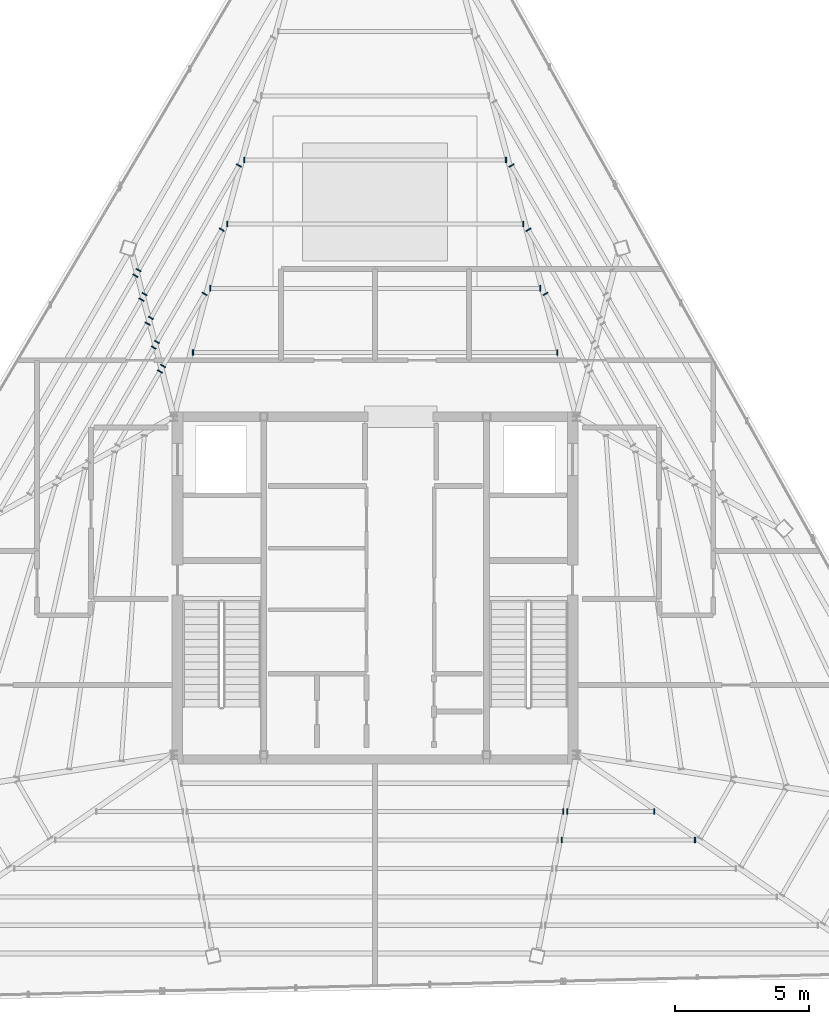
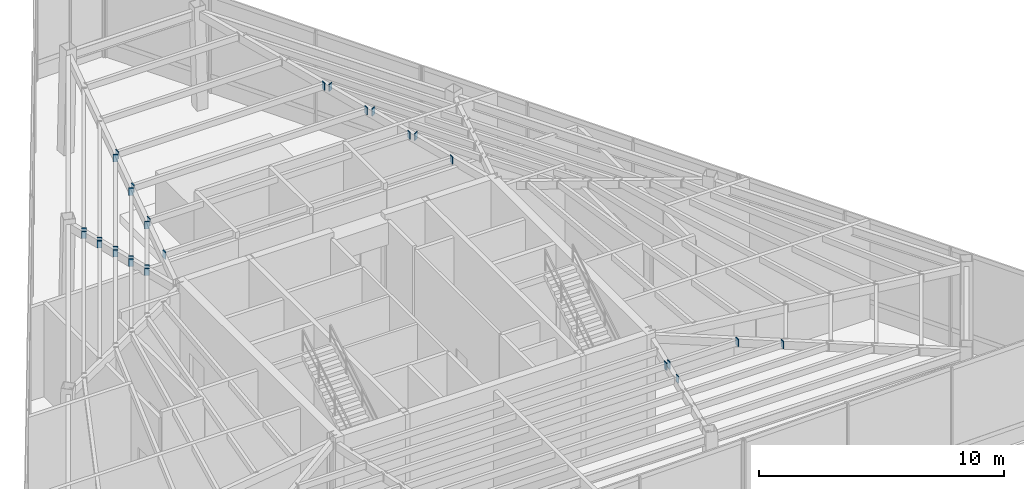
# One storey, part 20 of 25: 29 plates.
"""IFC4 building model written with IfcOpenShell, lengths in metres."""

import ifcopenshell
import ifcopenshell.guid

model = None  # the IFC model being written
_history = None  # IfcOwnerHistory: only IFC2X3 demands one
_inside = {}  # id of a spatial element -> (the spatial element, [elements in it])
_under = {}  # id of a project, library or spatial element -> (it, [spatial elements below it])
_declared = {}  # id of a project -> (the project, [libraries it declares])
_typed = {}  # id of a type object -> (the type object, [elements of that type])
_made_of = {}  # id of a material, layer set ... -> (it, [elements and type objects made of it])


def new_model(schema):
    """Start an empty IFC model of exactly this schema.

    Asked for "IFC4X3", IfcOpenShell would pick the latest addendum, in which some entities
    have other attributes; the version numbers below select the first issue.
    IFC2X3 requires an IfcOwnerHistory on every rooted entity: one is made here for all.
    """
    global model, _history
    if schema == "IFC4X3":
        model = ifcopenshell.file(schema_version=(4, 3, 0, 0))
    else:
        model = ifcopenshell.file(schema=schema)
    _inside.clear()
    _under.clear()
    _declared.clear()
    _typed.clear()
    _made_of.clear()
    _history = None
    if model.schema == "IFC2X3":
        org = make("IfcOrganization", Name="unknown")
        user = make(
            "IfcPersonAndOrganization",
            ThePerson=make("IfcPerson", FamilyName="unknown"),
            TheOrganization=org,
        )
        app = make(
            "IfcApplication",
            ApplicationDeveloper=org,
            Version="unknown",
            ApplicationFullName="unknown",
            ApplicationIdentifier="unknown",
        )
        _history = make(
            "IfcOwnerHistory",
            OwningUser=user,
            OwningApplication=app,
            ChangeAction="ADDED",
            CreationDate=0,
        )
    return model


def make(cls, **values):
    """One entity of the class cls with the attributes given. An attribute that is None is left unset."""
    return model.create_entity(
        cls, **{name: value for name, value in values.items() if value is not None}
    )


def rooted(cls, **values):
    """An entity with a GlobalId (a new one), such as an element, a storey or a relation."""
    return make(cls, GlobalId=ifcopenshell.guid.new(), OwnerHistory=_history, **values)


def si_unit(unit_type, name, prefix=None):
    """IfcSIUnit, for example si_unit("LENGTHUNIT", "METRE", prefix="MILLI")."""
    return make("IfcSIUnit", UnitType=unit_type, Prefix=prefix, Name=name)


def assignment(units):
    """IfcUnitAssignment: the units of a project."""
    return None if units is None else make("IfcUnitAssignment", Units=units)


def point(xyz):
    """IfcCartesianPoint."""
    return None if xyz is None else make("IfcCartesianPoint", Coordinates=xyz)


def direction(xyz):
    """IfcDirection."""
    return None if xyz is None else make("IfcDirection", DirectionRatios=xyz)


def frame(location, z_axis=None, x_axis=None):
    """IfcAxis2Placement3D, a coordinate frame: its origin and axes. An axis left out is left unset."""
    return make(
        "IfcAxis2Placement3D",
        Location=point(location),
        Axis=direction(z_axis),
        RefDirection=direction(x_axis),
    )


def frame_2d(location, x_axis=None):
    """IfcAxis2Placement2D, a coordinate frame in the plane: its origin and x axis."""
    return make(
        "IfcAxis2Placement2D", Location=point(location), RefDirection=direction(x_axis)
    )


def origin():
    """The frame at (0, 0, 0) with its axes left unset."""
    return frame((0.0, 0.0, 0.0))


def origin_2d():
    """The frame at (0, 0) in the plane with its x axis left unset."""
    return frame_2d((0.0, 0.0))


def place(relative_to, where):
    """IfcLocalPlacement: puts the frame where relative to a parent placement (None: the world)."""
    return make(
        "IfcLocalPlacement", PlacementRelTo=relative_to, RelativePlacement=where
    )


def context(
    kind, dimensions, precision=None, world=None, true_north=None, identifier=None
):
    """IfcGeometricRepresentationContext, for example the 3D "Model" context."""
    return make(
        "IfcGeometricRepresentationContext",
        ContextIdentifier=identifier,
        ContextType=kind,
        CoordinateSpaceDimension=dimensions,
        Precision=precision,
        WorldCoordinateSystem=world,
        TrueNorth=true_north,
    )


def subcontext(parent, identifier, kind, view, scale=None):
    """IfcGeometricRepresentationSubContext, for example "Body" below "Model"."""
    return make(
        "IfcGeometricRepresentationSubContext",
        ContextIdentifier=identifier,
        ContextType=kind,
        ParentContext=parent,
        TargetScale=scale,
        TargetView=view,
    )


def project(units=None, contexts=None):
    """IfcProject with its units and contexts."""
    return rooted(
        "IfcProject",
        Name="project",
        RepresentationContexts=contexts,
        UnitsInContext=assignment(units),
    )


def spatial(cls, under=None, at=None, **own):
    """A site, building, storey or space (cls), placed at a placement, below another one or the project."""
    s = rooted(cls, ObjectPlacement=at, **own)
    if under is not None:
        _under.setdefault(under.id(), (under, []))[1].append(s)
    return s


def profile(cls, at=None, kind="AREA", **sizes):
    """A parametric profile (cls). Its sizes go by their IFC names, for example OverallWidth=200.0."""
    return make(cls, ProfileType=kind, Position=at, **sizes)


def rectangle(**sizes):
    """IfcRectangleProfileDef."""
    return profile("IfcRectangleProfileDef", **sizes)


def extrude(swept, where, along, depth):
    """IfcExtrudedAreaSolid: the profile swept, set in the frame where, extruded along a direction by depth."""
    return make(
        "IfcExtrudedAreaSolid",
        SweptArea=swept,
        Position=where,
        ExtrudedDirection=direction(along),
        Depth=depth,
    )


def shape(context_of_items, identifier, shape_type, items):
    """IfcShapeRepresentation: the items that make up one representation, for example the "Body"."""
    return make(
        "IfcShapeRepresentation",
        ContextOfItems=context_of_items,
        RepresentationIdentifier=identifier,
        RepresentationType=shape_type,
        Items=items,
    )


def source(mapping_origin, context_of_items, identifier, shape_type, items):
    """IfcRepresentationMap: a shape defined once, which mapped items show again and again."""
    return make(
        "IfcRepresentationMap",
        MappingOrigin=mapping_origin,
        MappedRepresentation=shape(context_of_items, identifier, shape_type, items),
    )


def transform(
    local_origin,
    x_axis=None,
    y_axis=None,
    z_axis=None,
    scale=None,
    scale2=None,
    scale3=None,
    uniform=True,
):
    """IfcCartesianTransformationOperator3D, or its non-uniform kind. x_axis, y_axis, z_axis: its Axis1, 2, 3."""
    if uniform:
        return make(
            "IfcCartesianTransformationOperator3D",
            Axis1=direction(x_axis),
            Axis2=direction(y_axis),
            LocalOrigin=point(local_origin),
            Scale=scale,
            Axis3=direction(z_axis),
        )
    return make(
        "IfcCartesianTransformationOperator3DnonUniform",
        Axis1=direction(x_axis),
        Axis2=direction(y_axis),
        LocalOrigin=point(local_origin),
        Scale=scale,
        Axis3=direction(z_axis),
        Scale2=scale2,
        Scale3=scale3,
    )


def mapped(mapping_source, mapping_target):
    """IfcMappedItem: shows the shape of a source again, moved by a transform."""
    return make(
        "IfcMappedItem", MappingSource=mapping_source, MappingTarget=mapping_target
    )


def material(Name=None, Category=None):
    """IfcMaterial."""
    return make("IfcMaterial", Name=Name, Category=Category)


def layer(
    of_material, thickness, ventilated=None, Name=None, Category=None, Priority=None
):
    """IfcMaterialLayer: one layer of a wall or slab, of a material (None: an air gap)."""
    return make(
        "IfcMaterialLayer",
        Material=of_material,
        LayerThickness=thickness,
        IsVentilated=ventilated,
        Name=Name,
        Category=Category,
        Priority=Priority,
    )


def layer_set(layers, Name=None):
    """IfcMaterialLayerSet."""
    return make("IfcMaterialLayerSet", MaterialLayers=layers, LayerSetName=Name)


def made_of(thing, what):
    """Note that an element or type object is made of a material, layer set ...; save() writes the relation."""
    if what is not None:
        _made_of.setdefault(what.id(), (what, []))[1].append(thing)
    return thing


def type_object(cls, material=None, **own):
    """A type object (cls), such as IfcWallType, which elements share."""
    return made_of(rooted(cls, **own), material)


def type_shapes(of_type, sources):
    """Give a type object the sources (RepresentationMaps) that its elements show as mapped items."""
    of_type.RepresentationMaps = sources


def element(
    cls,
    number,
    at=None,
    inside=None,
    cuts=None,
    type_object=None,
    material=None,
    context=None,
    identifier="Body",
    shape_type=None,
    held_by="IfcProductDefinitionShape",
    body=None,
    shapes=None,
    **own,
):
    """One element of the class cls, such as IfcWall. Its Tag is "e" and its number.

    at: its placement. inside: the storey or other place that contains it. cuts: it is an
    opening in that element (IfcRelVoidsElement). A single representation is given by context,
    identifier, shape_type and body (its items); several are given by shapes. held_by: the class
    of the entity that holds the representations. save() writes the other relations.
    """
    e = rooted(cls, Tag="e%d" % number, ObjectPlacement=at, **own)
    if body is not None:
        shapes = [shape(context, identifier, shape_type, body)]
    if shapes is not None:
        e.Representation = make(held_by, Representations=shapes)
    if inside is not None:
        _inside.setdefault(inside.id(), (inside, []))[1].append(e)
    if cuts is not None:
        rooted(
            "IfcRelVoidsElement", RelatingBuildingElement=cuts, RelatedOpeningElement=e
        )
    if type_object is not None:
        _typed.setdefault(type_object.id(), (type_object, []))[1].append(e)
    return made_of(e, material)


def aggregate(whole, parts):
    """IfcRelAggregates: a whole, such as a stair, and the parts it consists of."""
    return rooted("IfcRelAggregates", RelatingObject=whole, RelatedObjects=parts)


def save(model, path):
    """Write the relations noted so far, then the file.

    IfcRelAggregates (storeys below a building ...), IfcRelContainedInSpatialStructure (elements
    in a storey), IfcRelDefinesByType, IfcRelAssociatesMaterial and IfcRelDeclares: one each for
    every whole, place, type object, material and project.
    """
    for whole, parts in _under.values():
        aggregate(whole, parts)
    for where, things in _inside.values():
        rooted(
            "IfcRelContainedInSpatialStructure",
            RelatedElements=things,
            RelatingStructure=where,
        )
    for kind, things in _typed.values():
        rooted("IfcRelDefinesByType", RelatedObjects=things, RelatingType=kind)
    for what, things in _made_of.values():
        rooted("IfcRelAssociatesMaterial", RelatedObjects=things, RelatingMaterial=what)
    for by, libraries in _declared.values():
        rooted("IfcRelDeclares", RelatingContext=by, RelatedDefinitions=libraries)
    model.write(path)


model = new_model("IFC4")

# Units and contexts
model_context = context("Model", 3, precision=1e-05, world=origin(), true_north=direction((0.0, 1.0)))
body_context = subcontext(model_context, "Body", "Model", "MODEL_VIEW")
ifc_project = project(units=[si_unit("LENGTHUNIT", "METRE"), si_unit("AREAUNIT", "SQUARE_METRE"), si_unit("VOLUMEUNIT", "CUBIC_METRE"), si_unit("PLANEANGLEUNIT", "RADIAN"), si_unit("MASSUNIT", "GRAM", prefix="KILO")], contexts=[model_context])

# Site, building, storey
site_placement = place(None, origin())
site = spatial("IfcSite", under=ifc_project, at=site_placement, CompositionType="ELEMENT")
building_placement = place(site_placement, origin())
building = spatial("IfcBuilding", under=site, at=building_placement, Name="Caelisora Broadcast Tower", CompositionType="ELEMENT")
storey_placement = place(building_placement, frame((0.0, 0.0, 284.60009765625)))
storey = spatial("IfcBuildingStorey", under=building, at=storey_placement, Name="L75", CompositionType="ELEMENT", Elevation=284.60009765625)

# Plates
ifc_material = material(Name="Steel Grade 350 L15 (AS/NZS 3678)", Category="steel")
ifc_layer = layer(ifc_material, 0.0400390625, Name="Steel Grade 350 L15 (AS/NZS 3678)")
ifc_layer_set = layer_set([ifc_layer], Name="Steel Grade 350 L15 (AS/NZS 3678)")
plate_type = type_object("IfcPlateType", Name="GP04", PredefinedType="USERDEFINED", material=ifc_layer_set)
shared_shape = source(origin(), body_context, "Body", "SweptSolid", [
    extrude(rectangle(XDim=0.2099609375, YDim=0.0400390625, at=origin_2d()), origin(), (0.0, 0.0, 1.0), 0.360107421875),
])
type_shapes(plate_type, [shared_shape])
for number, where, z_axis, x_axis, name in (
    (1, (44.783447265625, 32.390380859375, 4.61962890625), (0.0, 0.0, 1.0), (0.0, -1.0, 0.0), "L75 gusset plate GP04 (ND-SB-L75-001A)"),
    (2, (31.216552734375, 32.390380859375, 4.61962890625), (0.0, 0.0, 1.0), (0.0, -1.0, 0.0), "L75 gusset plate GP04 (ND-SB-L75-001B)"),
    (3, (44.147705078125, 34.781005859375, 4.61962890625), (0.0, 0.0, 1.0), (0.0, -1.0, 0.0), "L75 gusset plate GP04 (ND-SB-L75-002A)"),
    (4, (31.852294921875, 34.781005859375, 4.61962890625), (0.0, 0.0, 1.0), (0.0, -1.0, 0.0), "L75 gusset plate GP04 (ND-SB-L75-002B)"),
    (5, (43.51171875, 37.17138671875, 4.61962890625), (0.0, 0.0, 1.0), (0.0, -1.0, 0.0), "L75 gusset plate GP04 (ND-SB-L75-003A)"),
    (6, (32.48828125, 37.17138671875, 4.61962890625), (0.0, 0.0, 1.0), (0.0, -1.0, 0.0), "L75 gusset plate GP04 (ND-SB-L75-003B)"),
    (7, (42.87548828125, 39.56201171875, 4.61962890625), (0.0, 0.0, 1.0), (0.0, -1.0, 0.0), "L75 gusset plate GP04 (ND-SB-L75-004A)"),
    (8, (33.12451171875, 39.56201171875, 4.61962890625), (0.0, 0.0, 1.0), (0.0, -1.0, 0.0), "L75 gusset plate GP04 (ND-SB-L75-004B)"),
    (9, (31.65185546875, 34.572998046875, 4.61962890625), (0.0, 0.0, 1.0), (0.866025403784, -0.5, 0.0), "L75 gusset plate GP04 (ND-SB-L75-007A)"),
    (10, (30.10205078125, 31.888671875, 4.61962890625), (0.0, 0.0, 1.0), (0.866025403784, -0.5, 0.0), "L75 gusset plate GP04 (ND-SB-L75-007B)"),
    (11, (32.287841796875, 36.96337890625, 4.61962890625), (0.0, 0.0, 1.0), (0.866025403784, -0.5, 0.0), "L75 gusset plate GP04 (ND-SB-L75-008A)"),
    (12, (29.873046875, 32.781005859375, 4.61962890625), (0.0, 0.0, 1.0), (0.866025403784, -0.5, 0.0), "L75 gusset plate GP04 (ND-SB-L75-008B)"),
    (13, (32.923828125, 39.35400390625, 4.61962890625), (0.0, 0.0, 1.0), (0.866025403784, -0.5, 0.0), "L75 gusset plate GP04 (ND-SB-L75-009A)"),
    (14, (29.644287109375, 33.673583984375, 4.61962890625), (0.0, 0.0, 1.0), (0.866025403784, -0.5, 0.0), "L75 gusset plate GP04 (ND-SB-L75-009B)"),
    (15, (29.415283203125, 34.56591796875, 4.61962890625), (0.0, 0.0, 1.0), (0.866025403784, -0.5, 0.0), "L75 gusset plate GP04 (ND-SB-L75-010B)"),
    (16, (29.186279296875, 35.458251953125, 4.61962890625), (0.0, 0.0, 1.0), (0.866025403784, -0.5, 0.0), "L75 gusset plate GP04 (ND-SB-L75-011B)"),
    (17, (29.982177734375, 31.680908203125, 4.61962890625), (0.0, 0.0, 1.0), (0.866025403784, -0.5, 0.0), "L75 gusset plate GP04 (ND-SB-L75-012A)"),
    (18, (29.753173828125, 32.5732421875, 4.61962890625), (0.0, 0.0, 1.0), (0.866025403784, -0.5, 0.0), "L75 gusset plate GP04 (ND-SB-L75-013A)"),
    (19, (29.524169921875, 33.465576171875, 4.61962890625), (0.0, 0.0, 1.0), (0.866025403784, -0.5, 0.0), "L75 gusset plate GP04 (ND-SB-L75-014A)"),
    (20, (29.295166015625, 34.35791015625, 4.61962890625), (0.0, 0.0, 1.0), (0.866025403784, -0.5, 0.0), "L75 gusset plate GP04 (ND-SB-L75-015A)"),
    (21, (29.06640625, 35.25048828125, 4.61962890625), (0.0, 0.0, 1.0), (0.866025403784, -0.5, 0.0), "L75 gusset plate GP04 (ND-SB-L75-016A)"),
    (22, (45.008056640625, 15.283935546875, 4.61962890625), (0.0, 0.0, 1.0), (0.0, 1.0, 0.0), "L75 gusset plate GP04 (ND-SB-L75-032B)"),
    (23, (45.166015625, 15.283935546875, 4.61962890625), (0.0, 0.0, 1.0), (0.0, 1.0, 0.0), "L75 gusset plate GP04 (ND-SB-L75-037A)"),
    (24, (48.39453125, 15.283935546875, 4.61962890625), (0.0, 0.0, 1.0), (0.0, 1.0, 0.0), "L75 gusset plate GP04 (ND-SB-L75-037B)"),
    (25, (44.95947265625, 14.225830078125, 4.61962890625), (0.0, 0.0, 1.0), (0.0, 1.0, 0.0), "L75 gusset plate GP04 (ND-SB-L75-038A)"),
    (26, (49.91796875, 14.225830078125, 4.61962890625), (0.0, 0.0, 1.0), (0.0, 1.0, 0.0), "L75 gusset plate GP04 (ND-SB-L75-038B)"),
    (27, (44.34814453125, 34.572998046875, 4.61962890625), (0.0, 0.0, 1.0), (-0.866025403784, -0.5, 0.0), "L75 gusset plate GP04 (ND-SB-L75-056B)"),
    (28, (43.712158203125, 36.96337890625, 4.61962890625), (0.0, 0.0, 1.0), (-0.866025403784, -0.5, 0.0), "L75 gusset plate GP04 (ND-SB-L75-057B)"),
    (29, (43.076171875, 39.35400390625, 4.61962890625), (0.0, 0.0, 1.0), (-0.866025403784, -0.5, 0.0), "L75 gusset plate GP04 (ND-SB-L75-058B)"),
):
    element("IfcPlate", number, at=place(storey_placement, frame(where, z_axis=z_axis, x_axis=x_axis)), inside=storey, type_object=plate_type, Name=name, ObjectType="GUSSET PLATE", PredefinedType="USERDEFINED", context=body_context, shape_type="MappedRepresentation", body=[
        mapped(shared_shape, transform((0.0, 0.0, 0.0), scale=1.0)),
    ])

save(model, "model.ifc")
